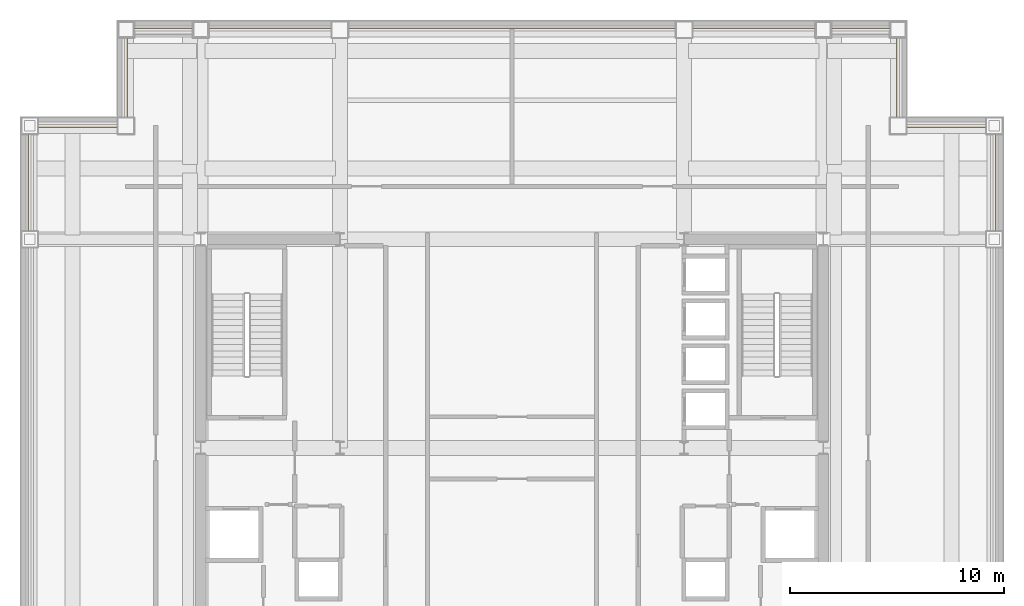
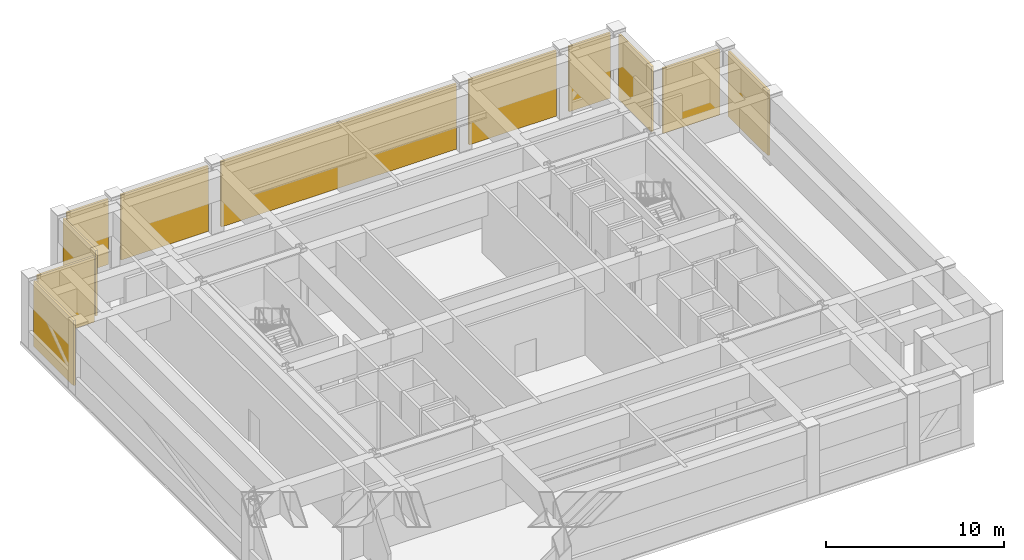
# One storey, part 9 of 9: 11 shading devices.
"""IFC4 building model written with IfcOpenShell, lengths in metres."""

import ifcopenshell
import ifcopenshell.guid

model = None  # the IFC model being written
_history = None  # IfcOwnerHistory: only IFC2X3 demands one
_inside = {}  # id of a spatial element -> (the spatial element, [elements in it])
_under = {}  # id of a project, library or spatial element -> (it, [spatial elements below it])
_declared = {}  # id of a project -> (the project, [libraries it declares])
_typed = {}  # id of a type object -> (the type object, [elements of that type])
_made_of = {}  # id of a material, layer set ... -> (it, [elements and type objects made of it])


def new_model(schema):
    """Start an empty IFC model of exactly this schema.

    Asked for "IFC4X3", IfcOpenShell would pick the latest addendum, in which some entities
    have other attributes; the version numbers below select the first issue.
    IFC2X3 requires an IfcOwnerHistory on every rooted entity: one is made here for all.
    """
    global model, _history
    if schema == "IFC4X3":
        model = ifcopenshell.file(schema_version=(4, 3, 0, 0))
    else:
        model = ifcopenshell.file(schema=schema)
    _inside.clear()
    _under.clear()
    _declared.clear()
    _typed.clear()
    _made_of.clear()
    _history = None
    if model.schema == "IFC2X3":
        org = make("IfcOrganization", Name="unknown")
        user = make(
            "IfcPersonAndOrganization",
            ThePerson=make("IfcPerson", FamilyName="unknown"),
            TheOrganization=org,
        )
        app = make(
            "IfcApplication",
            ApplicationDeveloper=org,
            Version="unknown",
            ApplicationFullName="unknown",
            ApplicationIdentifier="unknown",
        )
        _history = make(
            "IfcOwnerHistory",
            OwningUser=user,
            OwningApplication=app,
            ChangeAction="ADDED",
            CreationDate=0,
        )
    return model


def make(cls, **values):
    """One entity of the class cls with the attributes given. An attribute that is None is left unset."""
    return model.create_entity(
        cls, **{name: value for name, value in values.items() if value is not None}
    )


def rooted(cls, **values):
    """An entity with a GlobalId (a new one), such as an element, a storey or a relation."""
    return make(cls, GlobalId=ifcopenshell.guid.new(), OwnerHistory=_history, **values)


def si_unit(unit_type, name, prefix=None):
    """IfcSIUnit, for example si_unit("LENGTHUNIT", "METRE", prefix="MILLI")."""
    return make("IfcSIUnit", UnitType=unit_type, Prefix=prefix, Name=name)


def assignment(units):
    """IfcUnitAssignment: the units of a project."""
    return None if units is None else make("IfcUnitAssignment", Units=units)


def point(xyz):
    """IfcCartesianPoint."""
    return None if xyz is None else make("IfcCartesianPoint", Coordinates=xyz)


def direction(xyz):
    """IfcDirection."""
    return None if xyz is None else make("IfcDirection", DirectionRatios=xyz)


def frame(location, z_axis=None, x_axis=None):
    """IfcAxis2Placement3D, a coordinate frame: its origin and axes. An axis left out is left unset."""
    return make(
        "IfcAxis2Placement3D",
        Location=point(location),
        Axis=direction(z_axis),
        RefDirection=direction(x_axis),
    )


def frame_2d(location, x_axis=None):
    """IfcAxis2Placement2D, a coordinate frame in the plane: its origin and x axis."""
    return make(
        "IfcAxis2Placement2D", Location=point(location), RefDirection=direction(x_axis)
    )


def origin():
    """The frame at (0, 0, 0) with its axes left unset."""
    return frame((0.0, 0.0, 0.0))


def origin_2d():
    """The frame at (0, 0) in the plane with its x axis left unset."""
    return frame_2d((0.0, 0.0))


def place(relative_to, where):
    """IfcLocalPlacement: puts the frame where relative to a parent placement (None: the world)."""
    return make(
        "IfcLocalPlacement", PlacementRelTo=relative_to, RelativePlacement=where
    )


def context(
    kind, dimensions, precision=None, world=None, true_north=None, identifier=None
):
    """IfcGeometricRepresentationContext, for example the 3D "Model" context."""
    return make(
        "IfcGeometricRepresentationContext",
        ContextIdentifier=identifier,
        ContextType=kind,
        CoordinateSpaceDimension=dimensions,
        Precision=precision,
        WorldCoordinateSystem=world,
        TrueNorth=true_north,
    )


def subcontext(parent, identifier, kind, view, scale=None):
    """IfcGeometricRepresentationSubContext, for example "Body" below "Model"."""
    return make(
        "IfcGeometricRepresentationSubContext",
        ContextIdentifier=identifier,
        ContextType=kind,
        ParentContext=parent,
        TargetScale=scale,
        TargetView=view,
    )


def project(units=None, contexts=None):
    """IfcProject with its units and contexts."""
    return rooted(
        "IfcProject",
        Name="project",
        RepresentationContexts=contexts,
        UnitsInContext=assignment(units),
    )


def spatial(cls, under=None, at=None, **own):
    """A site, building, storey or space (cls), placed at a placement, below another one or the project."""
    s = rooted(cls, ObjectPlacement=at, **own)
    if under is not None:
        _under.setdefault(under.id(), (under, []))[1].append(s)
    return s


def profile(cls, at=None, kind="AREA", **sizes):
    """A parametric profile (cls). Its sizes go by their IFC names, for example OverallWidth=200.0."""
    return make(cls, ProfileType=kind, Position=at, **sizes)


def rectangle(**sizes):
    """IfcRectangleProfileDef."""
    return profile("IfcRectangleProfileDef", **sizes)


def extrude(swept, where, along, depth):
    """IfcExtrudedAreaSolid: the profile swept, set in the frame where, extruded along a direction by depth."""
    return make(
        "IfcExtrudedAreaSolid",
        SweptArea=swept,
        Position=where,
        ExtrudedDirection=direction(along),
        Depth=depth,
    )


def shape(context_of_items, identifier, shape_type, items):
    """IfcShapeRepresentation: the items that make up one representation, for example the "Body"."""
    return make(
        "IfcShapeRepresentation",
        ContextOfItems=context_of_items,
        RepresentationIdentifier=identifier,
        RepresentationType=shape_type,
        Items=items,
    )


def material(Name=None, Category=None):
    """IfcMaterial."""
    return make("IfcMaterial", Name=Name, Category=Category)


def layer(
    of_material, thickness, ventilated=None, Name=None, Category=None, Priority=None
):
    """IfcMaterialLayer: one layer of a wall or slab, of a material (None: an air gap)."""
    return make(
        "IfcMaterialLayer",
        Material=of_material,
        LayerThickness=thickness,
        IsVentilated=ventilated,
        Name=Name,
        Category=Category,
        Priority=Priority,
    )


def layer_set(layers, Name=None):
    """IfcMaterialLayerSet."""
    return make("IfcMaterialLayerSet", MaterialLayers=layers, LayerSetName=Name)


def made_of(thing, what):
    """Note that an element or type object is made of a material, layer set ...; save() writes the relation."""
    if what is not None:
        _made_of.setdefault(what.id(), (what, []))[1].append(thing)
    return thing


def type_object(cls, material=None, **own):
    """A type object (cls), such as IfcWallType, which elements share."""
    return made_of(rooted(cls, **own), material)


def element(
    cls,
    number,
    at=None,
    inside=None,
    cuts=None,
    type_object=None,
    material=None,
    context=None,
    identifier="Body",
    shape_type=None,
    held_by="IfcProductDefinitionShape",
    body=None,
    shapes=None,
    **own,
):
    """One element of the class cls, such as IfcWall. Its Tag is "e" and its number.

    at: its placement. inside: the storey or other place that contains it. cuts: it is an
    opening in that element (IfcRelVoidsElement). A single representation is given by context,
    identifier, shape_type and body (its items); several are given by shapes. held_by: the class
    of the entity that holds the representations. save() writes the other relations.
    """
    e = rooted(cls, Tag="e%d" % number, ObjectPlacement=at, **own)
    if body is not None:
        shapes = [shape(context, identifier, shape_type, body)]
    if shapes is not None:
        e.Representation = make(held_by, Representations=shapes)
    if inside is not None:
        _inside.setdefault(inside.id(), (inside, []))[1].append(e)
    if cuts is not None:
        rooted(
            "IfcRelVoidsElement", RelatingBuildingElement=cuts, RelatedOpeningElement=e
        )
    if type_object is not None:
        _typed.setdefault(type_object.id(), (type_object, []))[1].append(e)
    return made_of(e, material)


def aggregate(whole, parts):
    """IfcRelAggregates: a whole, such as a stair, and the parts it consists of."""
    return rooted("IfcRelAggregates", RelatingObject=whole, RelatedObjects=parts)


def save(model, path):
    """Write the relations noted so far, then the file.

    IfcRelAggregates (storeys below a building ...), IfcRelContainedInSpatialStructure (elements
    in a storey), IfcRelDefinesByType, IfcRelAssociatesMaterial and IfcRelDeclares: one each for
    every whole, place, type object, material and project.
    """
    for whole, parts in _under.values():
        aggregate(whole, parts)
    for where, things in _inside.values():
        rooted(
            "IfcRelContainedInSpatialStructure",
            RelatedElements=things,
            RelatingStructure=where,
        )
    for kind, things in _typed.values():
        rooted("IfcRelDefinesByType", RelatedObjects=things, RelatingType=kind)
    for what, things in _made_of.values():
        rooted("IfcRelAssociatesMaterial", RelatedObjects=things, RelatingMaterial=what)
    for by, libraries in _declared.values():
        rooted("IfcRelDeclares", RelatingContext=by, RelatedDefinitions=libraries)
    model.write(path)


model = new_model("IFC4")

# Units and contexts
model_context = context("Model", 3, precision=1e-05, world=origin(), true_north=direction((0.0, 1.0)))
body_context = subcontext(model_context, "Body", "Model", "MODEL_VIEW")
ifc_project = project(units=[si_unit("LENGTHUNIT", "METRE"), si_unit("AREAUNIT", "SQUARE_METRE"), si_unit("VOLUMEUNIT", "CUBIC_METRE"), si_unit("PLANEANGLEUNIT", "RADIAN"), si_unit("MASSUNIT", "GRAM", prefix="KILO")], contexts=[model_context])

# Site, building, storey
site_placement = place(None, origin())
site = spatial("IfcSite", under=ifc_project, at=site_placement, CompositionType="ELEMENT")
building_placement = place(site_placement, origin())
building = spatial("IfcBuilding", under=site, at=building_placement, Name="Brelmoor Portico Tower", CompositionType="ELEMENT")
storey_placement = place(building_placement, frame((0.0, 0.0, 145.800048828125)))
storey = spatial("IfcBuildingStorey", under=building, at=storey_placement, Name="L38", CompositionType="ELEMENT", Elevation=145.800048828125)

# Shading devices
ifc_material = material(Name="Extruded Aluminium Acoustic Weather Louvre", Category="aluminium")
ifc_layer = layer(ifc_material, 0.139892578125)
ifc_layer_set = layer_set([ifc_layer], Name="Extruded Aluminium Acoustic Weather Louvre")
shading_device_type = type_object("IfcShadingDeviceType", Name="SD-PLANT-LOUVRE", PredefinedType="USERDEFINED", material=ifc_layer_set)
shading_device_1_placement = place(storey_placement, frame((-16.300048828125, 19.550048828125, 0.06005859375), z_axis=(0.0, 0.0, 1.0), x_axis=(1.0, 0.0, 0.0)))
element("IfcShadingDevice", 1, at=shading_device_1_placement, inside=storey, type_object=shading_device_type, Name="L38 Acoustic Plant Louvre N-1", ObjectType="LOUVRE", PredefinedType="USERDEFINED", context=body_context, shape_type="SweptSolid", body=[
    extrude(rectangle(XDim=2.679931640625, YDim=0.139892578125, at=origin_2d()), origin(), (0.0, 0.0, 1.0), 4.47998046875),
])
shading_device_2_placement = place(storey_placement, frame((-11.300048828125, 19.550048828125, 0.06005859375), z_axis=(0.0, 0.0, 1.0), x_axis=(1.0, 0.0, 0.0)))
element("IfcShadingDevice", 2, at=shading_device_2_placement, inside=storey, type_object=shading_device_type, Name="L38 Acoustic Plant Louvre N-2", ObjectType="LOUVRE", PredefinedType="USERDEFINED", context=body_context, shape_type="SweptSolid", body=[
    extrude(rectangle(XDim=5.679931640625, YDim=0.139892578125, at=origin_2d()), origin(), (0.0, 0.0, 1.0), 4.47998046875),
])
shading_device_3_placement = place(storey_placement, frame((0.0, 19.550048828125, 0.06005859375), z_axis=(0.0, 0.0, 1.0), x_axis=(1.0, 0.0, 0.0)))
element("IfcShadingDevice", 3, at=shading_device_3_placement, inside=storey, type_object=shading_device_type, Name="L38 Acoustic Plant Louvre N-3", ObjectType="LOUVRE", PredefinedType="USERDEFINED", context=body_context, shape_type="SweptSolid", body=[
    extrude(rectangle(XDim=15.280029296875, YDim=0.139892578125, at=origin_2d()), origin(), (0.0, 0.0, 1.0), 4.47998046875),
])
shading_device_4_placement = place(storey_placement, frame((11.300048828125, 19.550048828125, 0.06005859375), z_axis=(0.0, 0.0, 1.0), x_axis=(1.0, 0.0, 0.0)))
element("IfcShadingDevice", 4, at=shading_device_4_placement, inside=storey, type_object=shading_device_type, Name="L38 Acoustic Plant Louvre N-4", ObjectType="LOUVRE", PredefinedType="USERDEFINED", context=body_context, shape_type="SweptSolid", body=[
    extrude(rectangle(XDim=5.679931640625, YDim=0.139892578125, at=origin_2d()), origin(), (0.0, 0.0, 1.0), 4.47998046875),
])
shading_device_5_placement = place(storey_placement, frame((16.300048828125, 19.550048828125, 0.06005859375), z_axis=(0.0, 0.0, 1.0), x_axis=(1.0, 0.0, 0.0)))
element("IfcShadingDevice", 5, at=shading_device_5_placement, inside=storey, type_object=shading_device_type, Name="L38 Acoustic Plant Louvre N-5", ObjectType="LOUVRE", PredefinedType="USERDEFINED", context=body_context, shape_type="SweptSolid", body=[
    extrude(rectangle(XDim=2.679931640625, YDim=0.139892578125, at=origin_2d()), origin(), (0.0, 0.0, 1.0), 4.47998046875),
])
for number, where, z_axis, x_axis, name in (
    (6, (-22.550048828125, 12.39990234375, 0.06005859375), (0.0, 0.0, 1.0), (0.0, 1.0, 0.0), "L38 Acoustic Plant Louvre W-3"),
    (7, (22.550048828125, 12.39990234375, 0.06005859375), (0.0, 0.0, 1.0), (0.0, 1.0, 0.0), "L38 Acoustic Plant Louvre E-3"),
):
    element("IfcShadingDevice", number, at=place(storey_placement, frame(where, z_axis=z_axis, x_axis=x_axis)), inside=storey, type_object=shading_device_type, Name=name, ObjectType="LOUVRE", PredefinedType="USERDEFINED", context=body_context, shape_type="SweptSolid", body=[
        extrude(rectangle(XDim=4.47998046875, YDim=0.139892578125, at=origin_2d()), origin(), (0.0, 0.0, 1.0), 4.47998046875),
    ])
for number, where, z_axis, x_axis, name in (
    (8, (-18.050048828125, 17.300048828125, 0.06005859375), (0.0, 0.0, 1.0), (0.0, 1.0, 0.0), "L38 Acoustic Plant Louvre NW1-1"),
    (9, (-20.300048828125, 15.050048828125, 0.06005859375), (0.0, 0.0, 1.0), (1.0, 0.0, 0.0), "L38 Acoustic Plant Louvre NW2-1"),
    (10, (18.050048828125, 17.300048828125, 0.06005859375), (0.0, 0.0, 1.0), (0.0, 1.0, 0.0), "L38 Acoustic Plant Louvre NE1-1"),
    (11, (20.300048828125, 15.050048828125, 0.06005859375), (0.0, 0.0, 1.0), (1.0, 0.0, 0.0), "L38 Acoustic Plant Louvre NE2-1"),
):
    element("IfcShadingDevice", number, at=place(storey_placement, frame(where, z_axis=z_axis, x_axis=x_axis)), inside=storey, type_object=shading_device_type, Name=name, ObjectType="LOUVRE", PredefinedType="USERDEFINED", context=body_context, shape_type="SweptSolid", body=[
        extrude(rectangle(XDim=3.679931640625, YDim=0.139892578125, at=origin_2d()), origin(), (0.0, 0.0, 1.0), 4.47998046875),
    ])

save(model, "model.ifc")
